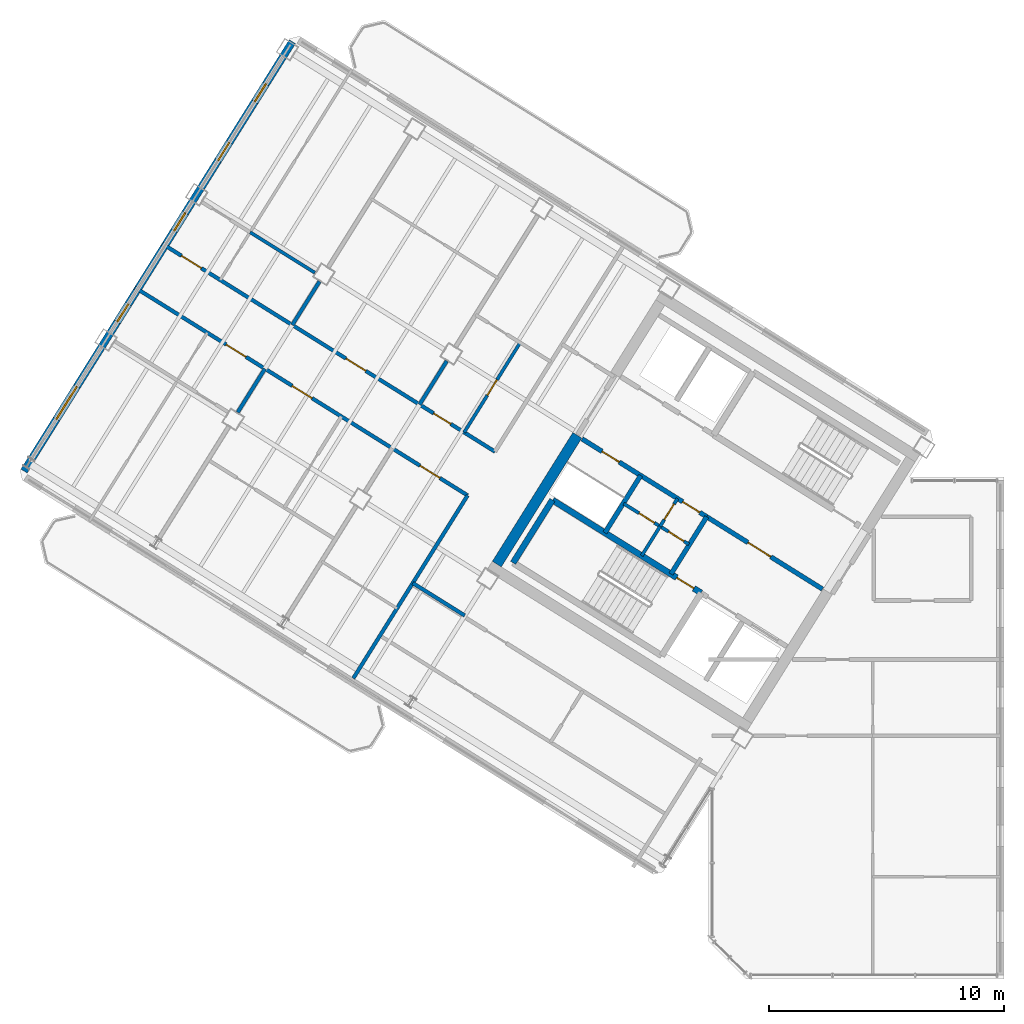
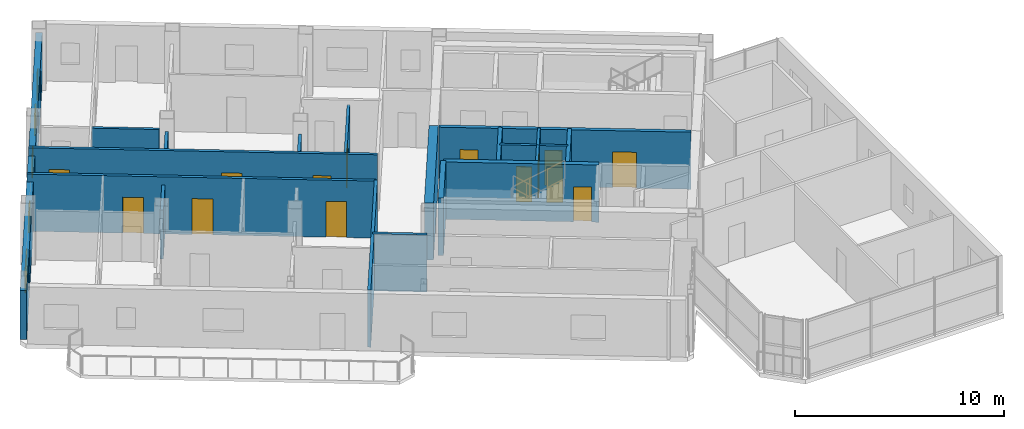
# One storey, part 9 of 17: 20 walls, 14 doors, 5 windows, 19 openings.
"""IFC4 building model written with IfcOpenShell, lengths in metres."""

from ifc_helpers import new_model, si_unit, direction, frame, frame_2d, origin, place, context, subcontext, project, spatial, rectangle, extrude, source, transform, mapped, material, layer, layer_set, type_object, element, fill, save


model = new_model("IFC4")

# Units and contexts
model_context = context("Model", 3, precision=1e-05, world=origin(), true_north=direction((0.0, 1.0)))
body_context = subcontext(model_context, "Body", "Model", "MODEL_VIEW")
ifc_project = project(units=[si_unit("LENGTHUNIT", "METRE"), si_unit("AREAUNIT", "SQUARE_METRE"), si_unit("VOLUMEUNIT", "CUBIC_METRE"), si_unit("PLANEANGLEUNIT", "RADIAN"), si_unit("MASSUNIT", "GRAM", prefix="KILO")], contexts=[model_context])

# Site, building, storey
site_placement = place(None, origin())
site = spatial("IfcSite", under=ifc_project, at=site_placement, CompositionType="ELEMENT")
building_placement = place(site_placement, origin())
building = spatial("IfcBuilding", under=site, at=building_placement, Name="Tlacorven Tower", CompositionType="ELEMENT")
storey_placement = place(building_placement, frame((0.0, 0.0, 270.0)))
storey = spatial("IfcBuildingStorey", under=building, at=storey_placement, Name="L68", CompositionType="ELEMENT", Elevation=270.0)

# Walls
ifc_material_1 = material(Name="Concrete C50/60", Category="concrete")
ifc_layer_1 = layer(ifc_material_1, 0.449951171875)
ifc_layer_set_1 = layer_set([ifc_layer_1], Name="Concrete C50/60")
wall_type_1 = type_object("IfcWallType", Name="WL-COR-450", PredefinedType="SHEAR", material=ifc_layer_set_1)
wall_1_placement = place(storey_placement, frame((26.006591796875, 24.975830078125, 0.0), z_axis=(0.0, 0.0, 1.0), x_axis=(-0.529931155655, -0.848040665456, 0.0)))
element("IfcWall", 1, at=wall_1_placement, inside=storey, type_object=wall_type_1, Name="L68 W core end wall E2.2", PredefinedType="SHEAR", context=body_context, shape_type="SweptSolid", body=[
    extrude(rectangle(XDim=6.47509765625, YDim=0.449951171875, at=frame_2d((3.237548828125, 0.0))), origin(), (0.0, 0.0, 1.0), 3.35009765625),
])
ifc_material_2 = material(Name="Gypsum plasterboard acoustic partition", Category="gypsum")
ifc_layer_2 = layer(ifc_material_2, 0.159912109375)
ifc_layer_set_2 = layer_set([ifc_layer_2], Name="Gypsum plasterboard acoustic partition")
wall_type_2 = type_object("IfcWallType", Name="WL-DEM-160", PredefinedType="PARTITIONING", material=ifc_layer_set_2)
wall_2_placement = place(storey_placement, frame((21.20556640625, 17.29248046875, 0.0), z_axis=(0.0, 0.0, 1.0), x_axis=(-0.848050851465, 0.529914854792, 0.0)))
element("IfcWall", 2, at=wall_2_placement, inside=storey, type_object=wall_type_2, Name="L68 partition 23", PredefinedType="PARTITIONING", context=body_context, shape_type="SweptSolid", body=[
    extrude(rectangle(XDim=2.60986328125, YDim=0.159912109375, at=frame_2d((1.304931640625, 0.0))), origin(), (0.0, 0.0, 1.0), 3.340087890625),
])
wall_3_placement = place(storey_placement, frame((21.3291015625, 22.41552734375, 0.0), z_axis=(0.0, 0.0, 1.0), x_axis=(-0.529920220799, -0.848047498427, 0.0)))
element("IfcWall", 3, at=wall_3_placement, inside=storey, type_object=wall_type_2, Name="L68 partition 25", PredefinedType="PARTITIONING", context=body_context, shape_type="SweptSolid", body=[
    extrude(rectangle(XDim=9.199951171875, YDim=0.159912109375, at=frame_2d((4.60009765625, 0.0))), origin(), (0.0, 0.0, 1.0), 3.340087890625),
])

# Wall, openings, doors
wall_4_placement = place(storey_placement, frame((22.494873046875, 24.28125, 0.0), z_axis=(0.0, 0.0, 1.0), x_axis=(-0.848052408131, 0.529912363569, 0.0)))
wall_4 = element("IfcWall", 4, at=wall_4_placement, inside=storey, type_object=wall_type_2, Name="L68 Wing W Corridor South Wall", PredefinedType="PARTITIONING", context=body_context, shape_type="SweptSolid", body=[
    extrude(rectangle(XDim=16.72998046875, YDim=0.159912109375, at=frame_2d((8.364990234375, 0.0))), origin(), (0.0, 0.0, 1.0), 3.340087890625),
])
opening_1_placement = place(wall_4_placement, frame((2.219970703125, 0.0, 0.0)))
opening_1 = element("IfcOpeningElement", 5, at=opening_1_placement, cuts=wall_4, Name="Opening D19", PredefinedType="OPENING", context=body_context, shape_type="SweptSolid", body=[
    extrude(rectangle(XDim=0.860107421875, YDim=2.050048828125, at=frame_2d((0.43017578125, 1.02490234375))), frame((0.0, 0.08984375, 0.0), z_axis=(0.0, -1.0, 0.0), x_axis=(1.0, 0.0, 0.0)), (0.0, 0.0, 1.0), 0.179931640625),
])
opening_2_placement = place(wall_4_placement, frame((6.489990234375, 0.0, 0.0)))
opening_2 = element("IfcOpeningElement", 6, at=opening_2_placement, cuts=wall_4, Name="Opening D11", PredefinedType="OPENING", context=body_context, shape_type="SweptSolid", body=[
    extrude(rectangle(XDim=1.0, YDim=2.10009765625, at=frame_2d((0.5, 1.050048828125))), frame((0.0, 0.08984375, 0.0), z_axis=(0.0, -1.0, 0.0), x_axis=(1.0, 0.0, 0.0)), (0.0, 0.0, 1.0), 0.179931640625),
])
opening_3_placement = place(wall_4_placement, frame((14.760009765625, 0.0, 0.0)))
opening_3 = element("IfcOpeningElement", 7, at=opening_3_placement, cuts=wall_4, Name="Opening D11", PredefinedType="OPENING", context=body_context, shape_type="SweptSolid", body=[
    extrude(rectangle(XDim=1.0, YDim=2.10009765625, at=frame_2d((0.5, 1.050048828125))), frame((0.0, 0.08984375, 0.0), z_axis=(0.0, -1.0, 0.0), x_axis=(1.0, 0.0, 0.0)), (0.0, 0.0, 1.0), 0.179931640625),
])
ifc_material_3 = material(Name="Fire-rated steel door assembly", Category="steel")
door_type_1 = type_object("IfcDoorType", Name="DR-RSR-FD60-0860", OperationType="NOTDEFINED", PredefinedType="DOOR", material=ifc_material_3)
shared_shape_1 = source(origin(), body_context, "Body", "SweptSolid", [
    extrude(rectangle(XDim=0.860107421875, YDim=2.050048828125, at=frame_2d((0.43017578125, 1.02490234375))), frame((0.0, 0.02490234375, 0.0), z_axis=(0.0, -1.0, 0.0), x_axis=(1.0, 0.0, 0.0)), (0.0, 0.0, 1.0), 0.050048828125),
])
door_1_placement = place(opening_1_placement, origin())
door_1 = element("IfcDoor", 8, at=door_1_placement, inside=storey, type_object=door_type_1, Name="L68 door 025", OperationType="SINGLE_SWING_LEFT", OverallHeight=2.050048828125, OverallWidth=0.860107421875, PredefinedType="DOOR", context=body_context, shape_type="MappedRepresentation", body=[
    mapped(shared_shape_1, transform((0.0, 0.0, 0.0), scale=1.0)),
])
fill(opening_1, door_1)
door_type_2 = type_object("IfcDoorType", Name="DR-FLT-FD60-1000", OperationType="NOTDEFINED", PredefinedType="DOOR", material=ifc_material_3)
shared_shape_2 = source(origin(), body_context, "Body", "SweptSolid", [
    extrude(rectangle(XDim=1.0, YDim=2.10009765625, at=frame_2d((0.5, 1.050048828125))), frame((0.0, 0.02490234375, 0.0), z_axis=(0.0, -1.0, 0.0), x_axis=(1.0, 0.0, 0.0)), (0.0, 0.0, 1.0), 0.050048828125),
])
door_2_placement = place(opening_2_placement, origin())
door_2 = element("IfcDoor", 9, at=door_2_placement, inside=storey, type_object=door_type_2, Name="L68 door 028", OperationType="SINGLE_SWING_RIGHT", OverallHeight=2.10009765625, OverallWidth=1.0, PredefinedType="DOOR", context=body_context, shape_type="MappedRepresentation", body=[
    mapped(shared_shape_2, transform((0.0, 0.0, 0.0), scale=1.0)),
])
fill(opening_2, door_2)
door_3_placement = place(opening_3_placement, origin())
door_3 = element("IfcDoor", 10, at=door_3_placement, inside=storey, type_object=door_type_2, Name="L68 door 031", OperationType="SINGLE_SWING_LEFT", OverallHeight=2.10009765625, OverallWidth=1.0, PredefinedType="DOOR", context=body_context, shape_type="MappedRepresentation", body=[
    mapped(shared_shape_2, transform((0.0, 0.0, 0.0), scale=1.0)),
])
fill(opening_3, door_3)

wall_5_placement = place(storey_placement, frame((21.3291015625, 22.41552734375, 0.0), z_axis=(0.0, 0.0, 1.0), x_axis=(-0.848052408131, 0.529912363569, 0.0)))
wall_5 = element("IfcWall", 11, at=wall_5_placement, inside=storey, type_object=wall_type_2, Name="L68 Wing W Corridor North Wall", PredefinedType="PARTITIONING", context=body_context, shape_type="SweptSolid", body=[
    extrude(rectangle(XDim=16.72998046875, YDim=0.159912109375, at=frame_2d((8.364990234375, 0.0))), origin(), (0.0, 0.0, 1.0), 3.340087890625),
])
opening_4_placement = place(wall_5_placement, frame((1.39501953125, 0.0, 0.0)))
opening_4 = element("IfcOpeningElement", 12, at=opening_4_placement, cuts=wall_5, Name="Opening D11", PredefinedType="OPENING", context=body_context, shape_type="SweptSolid", body=[
    extrude(rectangle(XDim=1.0, YDim=2.10009765625, at=frame_2d((0.5, 1.050048828125))), frame((0.0, 0.08984375, 0.0), z_axis=(0.0, -1.0, 0.0), x_axis=(1.0, 0.0, 0.0)), (0.0, 0.0, 1.0), 0.179931640625),
])
opening_5_placement = place(wall_5_placement, frame((7.820068359375, 0.0, 0.0)))
opening_5 = element("IfcOpeningElement", 13, at=opening_5_placement, cuts=wall_5, Name="Opening D11", PredefinedType="OPENING", context=body_context, shape_type="SweptSolid", body=[
    extrude(rectangle(XDim=1.0, YDim=2.10009765625, at=frame_2d((0.5, 1.050048828125))), frame((0.0, 0.08984375, 0.0), z_axis=(0.0, -1.0, 0.0), x_axis=(1.0, 0.0, 0.0)), (0.0, 0.0, 1.0), 0.179931640625),
])
opening_6_placement = place(wall_5_placement, frame((11.139892578125, 0.0, 0.0)))
opening_6 = element("IfcOpeningElement", 14, at=opening_6_placement, cuts=wall_5, Name="Opening D11", PredefinedType="OPENING", context=body_context, shape_type="SweptSolid", body=[
    extrude(rectangle(XDim=1.0, YDim=2.10009765625, at=frame_2d((0.5, 1.050048828125))), frame((0.0, 0.08984375, 0.0), z_axis=(0.0, -1.0, 0.0), x_axis=(1.0, 0.0, 0.0)), (0.0, 0.0, 1.0), 0.179931640625),
])
door_4_placement = place(opening_4_placement, origin())
door_4 = element("IfcDoor", 15, at=door_4_placement, inside=storey, type_object=door_type_2, Name="L68 door 015", OperationType="SINGLE_SWING_LEFT", OverallHeight=2.10009765625, OverallWidth=1.0, PredefinedType="DOOR", context=body_context, shape_type="MappedRepresentation", body=[
    mapped(shared_shape_2, transform((0.0, 0.0, 0.0), scale=1.0)),
])
fill(opening_4, door_4)
door_5_placement = place(opening_5_placement, origin())
door_5 = element("IfcDoor", 16, at=door_5_placement, inside=storey, type_object=door_type_2, Name="L68 door 017", OperationType="SINGLE_SWING_LEFT", OverallHeight=2.10009765625, OverallWidth=1.0, PredefinedType="DOOR", context=body_context, shape_type="MappedRepresentation", body=[
    mapped(shared_shape_2, transform((0.0, 0.0, 0.0), scale=1.0)),
])
fill(opening_5, door_5)
door_6_placement = place(opening_6_placement, origin())
door_6 = element("IfcDoor", 17, at=door_6_placement, inside=storey, type_object=door_type_2, Name="L68 door 021", OperationType="SINGLE_SWING_LEFT", OverallHeight=2.10009765625, OverallWidth=1.0, PredefinedType="DOOR", context=body_context, shape_type="MappedRepresentation", body=[
    mapped(shared_shape_2, transform((0.0, 0.0, 0.0), scale=1.0)),
])
fill(opening_6, door_6)

# Walls
wall_6_placement = place(storey_placement, frame((12.6875, 27.8154296875, 0.0), z_axis=(0.0, 0.0, 1.0), x_axis=(-0.52994879608, -0.848029641896, 0.0)))
element("IfcWall", 18, at=wall_6_placement, inside=storey, type_object=wall_type_2, Name="L68 WN Demising Wall 2", PredefinedType="PARTITIONING", context=body_context, shape_type="SweptSolid", body=[
    extrude(rectangle(XDim=2.188232421875, YDim=0.159912109375, at=frame_2d((1.09423828125, 0.0))), origin(), (0.0, 0.0, 1.0), 2.875),
])
for number, where, z_axis, x_axis, name in (
    (19, (20.440185546875, 28.14501953125, 0.0), (0.0, 0.0, 1.0), (-0.5299186965, -0.848048450915, 0.0), "L68 WS Demising Wall 1"),
    (20, (15.0126953125, 31.53662109375, 0.0), (0.0, 0.0, 1.0), (-0.5299186965, -0.848048450915, 0.0), "L68 WS Demising Wall 2"),
):
    element("IfcWall", number, at=place(storey_placement, frame(where, z_axis=z_axis, x_axis=x_axis)), inside=storey, type_object=wall_type_2, Name=name, PredefinedType="PARTITIONING", context=body_context, shape_type="SweptSolid", body=[
        extrude(rectangle(XDim=2.18798828125, YDim=0.159912109375, at=frame_2d((1.093994140625, 0.0))), origin(), (0.0, 0.0, 1.0), 2.875),
    ])

# Wall, openings, windows
ifc_material_4 = material(Name="Precast concrete C45/55", Category="concrete")
ifc_layer_3 = layer(ifc_material_4, 0.320068359375)
ifc_layer_set_3 = layer_set([ifc_layer_3], Name="Precast concrete C45/55")
wall_type_3 = type_object("IfcWallType", Name="WL-EXT-320", PredefinedType="STANDARD", material=ifc_layer_set_3)
wall_7_placement = place(storey_placement, frame((2.41455078125, 23.452392578125, 0.0), z_axis=(0.0, 0.0, 1.0), x_axis=(0.52991049553, 0.848053575387, 0.0)))
wall_7 = element("IfcWall", 21, at=wall_7_placement, inside=storey, type_object=wall_type_3, Name="L68 Masonry-Frame Recessed Facade Wall 3", PredefinedType="STANDARD", context=body_context, shape_type="SweptSolid", body=[
    extrude(rectangle(XDim=21.58740234375, YDim=0.320068359375, at=frame_2d((10.793701171875, 0.0))), origin(), (0.0, 0.0, 1.0), 2.875),
])
opening_7_placement = place(wall_7_placement, frame((2.606201171875, 0.0, 0.89990234375)))
opening_7 = element("IfcOpeningElement", 22, at=opening_7_placement, cuts=wall_7, Name="Opening WN07", PredefinedType="OPENING", context=body_context, shape_type="SweptSolid", body=[
    extrude(rectangle(XDim=1.64990234375, YDim=1.449951171875, at=frame_2d((0.824951171875, 0.72509765625))), frame((0.0, 0.169921875, 0.0), z_axis=(0.0, -1.0, 0.0), x_axis=(1.0, 0.0, 0.0)), (0.0, 0.0, 1.0), 0.340087890625),
])
opening_8_placement = place(wall_7_placement, frame((7.503662109375, 0.0, 1.0)))
opening_8 = element("IfcOpeningElement", 23, at=opening_8_placement, cuts=wall_7, Name="Opening WN05", PredefinedType="OPENING", context=body_context, shape_type="SweptSolid", body=[
    extrude(rectangle(XDim=0.89990234375, YDim=1.25, at=frame_2d((0.449951171875, 0.625))), frame((0.0, 0.169921875, 0.0), z_axis=(0.0, -1.0, 0.0), x_axis=(1.0, 0.0, 0.0)), (0.0, 0.0, 1.0), 0.340087890625),
])
opening_9_placement = place(wall_7_placement, frame((12.083740234375, 0.0, 1.0)))
opening_9 = element("IfcOpeningElement", 24, at=opening_9_placement, cuts=wall_7, Name="Opening WN05", PredefinedType="OPENING", context=body_context, shape_type="SweptSolid", body=[
    extrude(rectangle(XDim=0.89990234375, YDim=1.25, at=frame_2d((0.449951171875, 0.625))), frame((0.0, 0.169921875, 0.0), z_axis=(0.0, -1.0, 0.0), x_axis=(1.0, 0.0, 0.0)), (0.0, 0.0, 1.0), 0.340087890625),
])
opening_10_placement = place(wall_7_placement, frame((15.61865234375, 0.0, 1.0)))
opening_10 = element("IfcOpeningElement", 25, at=opening_10_placement, cuts=wall_7, Name="Opening WN05", PredefinedType="OPENING", context=body_context, shape_type="SweptSolid", body=[
    extrude(rectangle(XDim=0.89990234375, YDim=1.25, at=frame_2d((0.449951171875, 0.625))), frame((0.0, 0.169921875, 0.0), z_axis=(0.0, -1.0, 0.0), x_axis=(1.0, 0.0, 0.0)), (0.0, 0.0, 1.0), 0.340087890625),
])
opening_11_placement = place(wall_7_placement, frame((18.568603515625, 0.0, 1.0)))
opening_11 = element("IfcOpeningElement", 26, at=opening_11_placement, cuts=wall_7, Name="Opening WN05", PredefinedType="OPENING", context=body_context, shape_type="SweptSolid", body=[
    extrude(rectangle(XDim=0.89990234375, YDim=1.25, at=frame_2d((0.449951171875, 0.625))), frame((0.0, 0.169921875, 0.0), z_axis=(0.0, -1.0, 0.0), x_axis=(1.0, 0.0, 0.0)), (0.0, 0.0, 1.0), 0.340087890625),
])
ifc_material_5 = material(Name="Dark solar low-E double glazing in anodised aluminium frame", Category="aluminium")
window_type_1 = type_object("IfcWindowType", Name="WN-APT-0900X1350", PartitioningType="SINGLE_PANEL", PredefinedType="WINDOW", material=ifc_material_5)
shared_shape_3 = source(origin(), body_context, "Body", "SweptSolid", [
    extrude(rectangle(XDim=0.89990234375, YDim=1.25, at=frame_2d((0.449951171875, 0.625))), frame((0.0, 0.030029296875, 0.0), z_axis=(0.0, -1.0, 0.0), x_axis=(1.0, 0.0, 0.0)), (0.0, 0.0, 1.0), 0.06005859375),
])
window_1_placement = place(opening_8_placement, origin())
window_1 = element("IfcWindow", 27, at=window_1_placement, inside=storey, type_object=window_type_1, Name="L68 Recessed Masonry-Frame Window L68-03.2", OverallHeight=1.25, OverallWidth=0.89990234375, PartitioningType="SINGLE_PANEL", PredefinedType="WINDOW", context=body_context, shape_type="MappedRepresentation", body=[
    mapped(shared_shape_3, transform((0.0, 0.0, 0.0), scale=1.0)),
])
fill(opening_8, window_1)
window_2_placement = place(opening_9_placement, origin())
window_2 = element("IfcWindow", 28, at=window_2_placement, inside=storey, type_object=window_type_1, Name="L68 Recessed Masonry-Frame Window L68-03.3", OverallHeight=1.25, OverallWidth=0.89990234375, PartitioningType="SINGLE_PANEL", PredefinedType="WINDOW", context=body_context, shape_type="MappedRepresentation", body=[
    mapped(shared_shape_3, transform((0.0, 0.0, 0.0), scale=1.0)),
])
fill(opening_9, window_2)
window_3_placement = place(opening_10_placement, origin())
window_3 = element("IfcWindow", 29, at=window_3_placement, inside=storey, type_object=window_type_1, Name="L68 Recessed Masonry-Frame Window L68-03.4", OverallHeight=1.25, OverallWidth=0.89990234375, PartitioningType="SINGLE_PANEL", PredefinedType="WINDOW", context=body_context, shape_type="MappedRepresentation", body=[
    mapped(shared_shape_3, transform((0.0, 0.0, 0.0), scale=1.0)),
])
fill(opening_10, window_3)
window_4_placement = place(opening_11_placement, origin())
window_4 = element("IfcWindow", 30, at=window_4_placement, inside=storey, type_object=window_type_1, Name="L68 Recessed Masonry-Frame Window L68-03.5", OverallHeight=1.25, OverallWidth=0.89990234375, PartitioningType="SINGLE_PANEL", PredefinedType="WINDOW", context=body_context, shape_type="MappedRepresentation", body=[
    mapped(shared_shape_3, transform((0.0, 0.0, 0.0), scale=1.0)),
])
fill(opening_11, window_4)
window_type_2 = type_object("IfcWindowType", Name="WN-APT-1650X1600", PartitioningType="SINGLE_PANEL", PredefinedType="WINDOW", material=ifc_material_5)
shared_shape_4 = source(origin(), body_context, "Body", "SweptSolid", [
    extrude(rectangle(XDim=1.64990234375, YDim=1.449951171875, at=frame_2d((0.824951171875, 0.72509765625))), frame((0.0, 0.030029296875, 0.0), z_axis=(0.0, -1.0, 0.0), x_axis=(1.0, 0.0, 0.0)), (0.0, 0.0, 1.0), 0.06005859375),
])
window_5_placement = place(opening_7_placement, origin())
window_5 = element("IfcWindow", 31, at=window_5_placement, inside=storey, type_object=window_type_2, Name="L68 Recessed Masonry-Frame Window L68-03.1", OverallHeight=1.449951171875, OverallWidth=1.64990234375, PartitioningType="SINGLE_PANEL", PredefinedType="WINDOW", context=body_context, shape_type="MappedRepresentation", body=[
    mapped(shared_shape_4, transform((0.0, 0.0, 0.0), scale=1.0)),
])
fill(opening_7, window_5)

# Wall, opening, door
ifc_material_6 = material(Name="Moisture-resistant gypsum plumbing wall", Category="gypsum")
ifc_layer_4 = layer(ifc_material_6, 0.139892578125)
ifc_layer_set_4 = layer_set([ifc_layer_4], Name="Moisture-resistant gypsum plumbing wall")
wall_type_4 = type_object("IfcWallType", Name="WL-PLM-140", PredefinedType="PLUMBINGWALL", material=ifc_layer_set_4)
wall_8_placement = place(storey_placement, frame((30.278564453125, 22.28271484375, 0.0), z_axis=(0.0, 0.0, 1.0), x_axis=(-0.529951914384, -0.848027693204, 0.0)))
wall_8 = element("IfcWall", 32, at=wall_8_placement, inside=storey, type_object=wall_type_4, Name="L68 partition 18", PredefinedType="PLUMBINGWALL", context=body_context, shape_type="SweptSolid", body=[
    extrude(rectangle(XDim=1.39990234375, YDim=0.139892578125, at=frame_2d((0.699951171875, 0.0))), origin(), (0.0, 0.0, 1.0), 3.340087890625),
])
opening_12_placement = place(wall_8_placement, frame((0.280029296875, 0.0, 0.0)))
opening_12 = element("IfcOpeningElement", 33, at=opening_12_placement, cuts=wall_8, Name="Opening D22", PredefinedType="OPENING", context=body_context, shape_type="SweptSolid", body=[
    extrude(rectangle(XDim=0.780029296875, YDim=2.050048828125, at=frame_2d((0.39013671875, 1.02490234375))), frame((0.0, 0.080078125, 0.0), z_axis=(0.0, -1.0, 0.0), x_axis=(1.0, 0.0, 0.0)), (0.0, 0.0, 1.0), 0.159912109375),
])
ifc_material_7 = material(Name="Powder-coated aluminium and timber door", Category="wood")
door_type_3 = type_object("IfcDoorType", Name="DR-INT-WET-0780", OperationType="NOTDEFINED", PredefinedType="DOOR", material=ifc_material_7)
shared_shape_5 = source(origin(), body_context, "Body", "SweptSolid", [
    extrude(rectangle(XDim=0.780029296875, YDim=2.050048828125, at=frame_2d((0.39013671875, 1.02490234375))), frame((0.0, 0.02490234375, 0.0), z_axis=(0.0, -1.0, 0.0), x_axis=(1.0, 0.0, 0.0)), (0.0, 0.0, 1.0), 0.050048828125),
])
door_7_placement = place(opening_12_placement, origin())
door_7 = element("IfcDoor", 34, at=door_7_placement, inside=storey, type_object=door_type_3, Name="L68 door 010", OperationType="SINGLE_SWING_LEFT", OverallHeight=2.050048828125, OverallWidth=0.780029296875, PredefinedType="DOOR", context=body_context, shape_type="MappedRepresentation", body=[
    mapped(shared_shape_5, transform((0.0, 0.0, 0.0), scale=1.0)),
])
fill(opening_12, door_7)

# Wall
wall_9_placement = place(storey_placement, frame((29.53662109375, 21.095458984375, 0.0), z_axis=(0.0, 0.0, 1.0), x_axis=(-0.529865479138, -0.848081702443, 0.0)))
element("IfcWall", 35, at=wall_9_placement, inside=storey, type_object=wall_type_4, Name="L68 partition 19", PredefinedType="PLUMBINGWALL", context=body_context, shape_type="SweptSolid", body=[
    extrude(rectangle(XDim=1.47998046875, YDim=0.139892578125, at=frame_2d((0.739990234375, 0.0))), origin(), (0.0, 0.0, 1.0), 3.340087890625),
])

# Wall, openings, doors
wall_10_placement = place(storey_placement, frame((30.766357421875, 20.3271484375, 0.0), z_axis=(0.0, 0.0, 1.0), x_axis=(-0.848052663127, 0.529911955482, 0.0)))
wall_10 = element("IfcWall", 36, at=wall_10_placement, inside=storey, type_object=wall_type_4, Name="L68 partition 20", PredefinedType="PLUMBINGWALL", context=body_context, shape_type="SweptSolid", body=[
    extrude(rectangle(XDim=3.27978515625, YDim=0.139892578125, at=frame_2d((1.639892578125, 0.0))), origin(), (0.0, 0.0, 1.0), 3.340087890625),
])
opening_13_placement = place(wall_10_placement, frame((0.25, 0.0, 0.0)))
opening_13 = element("IfcOpeningElement", 37, at=opening_13_placement, cuts=wall_10, Name="Opening D22", PredefinedType="OPENING", context=body_context, shape_type="SweptSolid", body=[
    extrude(rectangle(XDim=0.780029296875, YDim=2.050048828125, at=frame_2d((0.39013671875, 1.02490234375))), frame((0.0, 0.080078125, 0.0), z_axis=(0.0, -1.0, 0.0), x_axis=(1.0, 0.0, 0.0)), (0.0, 0.0, 1.0), 0.159912109375),
])
opening_14_placement = place(wall_10_placement, frame((1.72998046875, 0.0, 0.0)))
opening_14 = element("IfcOpeningElement", 38, at=opening_14_placement, cuts=wall_10, Name="Opening D22", PredefinedType="OPENING", context=body_context, shape_type="SweptSolid", body=[
    extrude(rectangle(XDim=0.780029296875, YDim=2.050048828125, at=frame_2d((0.39013671875, 1.02490234375))), frame((0.0, 0.080078125, 0.0), z_axis=(0.0, -1.0, 0.0), x_axis=(1.0, 0.0, 0.0)), (0.0, 0.0, 1.0), 0.159912109375),
])
door_8_placement = place(opening_13_placement, origin())
door_8 = element("IfcDoor", 39, at=door_8_placement, inside=storey, type_object=door_type_3, Name="L68 door 011", OperationType="SINGLE_SWING_RIGHT", OverallHeight=2.050048828125, OverallWidth=0.780029296875, PredefinedType="DOOR", context=body_context, shape_type="MappedRepresentation", body=[
    mapped(shared_shape_5, transform((0.0, 0.0, 0.0), scale=1.0)),
])
fill(opening_13, door_8)
door_9_placement = place(opening_14_placement, origin())
door_9 = element("IfcDoor", 40, at=door_9_placement, inside=storey, type_object=door_type_3, Name="L68 door 012", OperationType="SINGLE_SWING_LEFT", OverallHeight=2.050048828125, OverallWidth=0.780029296875, PredefinedType="DOOR", context=body_context, shape_type="MappedRepresentation", body=[
    mapped(shared_shape_5, transform((0.0, 0.0, 0.0), scale=1.0)),
])
fill(opening_14, door_9)

# Wall, opening, door
wall_11_placement = place(storey_placement, frame((23.5703125, 28.92724609375, 0.0), z_axis=(0.0, 0.0, 1.0), x_axis=(-0.529911350634, -0.84805304107, 0.0)))
wall_11 = element("IfcWall", 41, at=wall_11_placement, inside=storey, type_object=wall_type_4, Name="L68 partition 40", PredefinedType="PLUMBINGWALL", context=body_context, shape_type="SweptSolid", body=[
    extrude(rectangle(XDim=4.510009765625, YDim=0.139892578125, at=frame_2d((2.2548828125, 0.0))), origin(), (0.0, 0.0, 1.0), 3.02490234375),
])
opening_15_placement = place(wall_11_placement, frame((1.864990234375, 0.0, 0.0)))
opening_15 = element("IfcOpeningElement", 42, at=opening_15_placement, cuts=wall_11, Name="Opening D22", PredefinedType="OPENING", context=body_context, shape_type="SweptSolid", body=[
    extrude(rectangle(XDim=0.780029296875, YDim=2.050048828125, at=frame_2d((0.39013671875, 1.02490234375))), frame((0.0, 0.080078125, 0.0), z_axis=(0.0, -1.0, 0.0), x_axis=(1.0, 0.0, 0.0)), (0.0, 0.0, 1.0), 0.159912109375),
])
door_10_placement = place(opening_15_placement, origin())
door_10 = element("IfcDoor", 43, at=door_10_placement, inside=storey, type_object=door_type_3, Name="L68 door 027", OperationType="SINGLE_SWING_LEFT", OverallHeight=2.050048828125, OverallWidth=0.780029296875, PredefinedType="DOOR", context=body_context, shape_type="MappedRepresentation", body=[
    mapped(shared_shape_5, transform((0.0, 0.0, 0.0), scale=1.0)),
])
fill(opening_15, door_10)

# Wall
wall_12_placement = place(storey_placement, frame((14.818115234375, 31.908203125, 0.0), z_axis=(0.0, 0.0, 1.0), x_axis=(-0.848036190178, 0.529938317305, 0.0)))
element("IfcWall", 44, at=wall_12_placement, inside=storey, type_object=wall_type_4, Name="L68 partition 46", PredefinedType="PLUMBINGWALL", context=body_context, shape_type="SweptSolid", body=[
    extrude(rectangle(XDim=3.258056640625, YDim=0.139892578125, at=frame_2d((1.62890625, 0.0))), origin(), (0.0, 0.0, 1.0), 2.875),
])

# Wall, opening, door
ifc_material_8 = material(Name="Concrete C40/50", Category="concrete")
ifc_layer_5 = layer(ifc_material_8, 0.199951171875)
ifc_layer_set_5 = layer_set([ifc_layer_5], Name="Concrete C40/50")
wall_type_5 = type_object("IfcWallType", Name="WL-SHF-200", PredefinedType="STANDARD", material=ifc_layer_set_5)
wall_13_placement = place(storey_placement, frame((36.459228515625, 18.420654296875, 0.0), z_axis=(0.0, 0.0, 1.0), x_axis=(-0.848059591691, 0.529900867089, 0.0)))
wall_13 = element("IfcWall", 45, at=wall_13_placement, inside=storey, type_object=wall_type_5, Name="L68 Core W Smoke Lobby Wall", PredefinedType="STANDARD", context=body_context, shape_type="SweptSolid", body=[
    extrude(rectangle(XDim=5.818115234375, YDim=0.199951171875, at=frame_2d((2.9091796875, 0.0))), origin(), (0.0, 0.0, 1.0), 3.340087890625),
])
opening_16_placement = place(wall_13_placement, frame((2.597900390625, 0.0, 0.0)))
opening_16 = element("IfcOpeningElement", 46, at=opening_16_placement, cuts=wall_13, Name="Opening D09", PredefinedType="OPENING", context=body_context, shape_type="SweptSolid", body=[
    extrude(rectangle(XDim=1.14990234375, YDim=2.10009765625, at=frame_2d((0.574951171875, 1.050048828125))), frame((0.0, 0.10986328125, 0.0), z_axis=(0.0, -1.0, 0.0), x_axis=(1.0, 0.0, 0.0)), (0.0, 0.0, 1.0), 0.219970703125),
])
door_type_4 = type_object("IfcDoorType", Name="DR-FFL-FD60-1150", OperationType="NOTDEFINED", PredefinedType="DOOR", material=ifc_material_3)
shared_shape_6 = source(origin(), body_context, "Body", "SweptSolid", [
    extrude(rectangle(XDim=1.14990234375, YDim=2.10009765625, at=frame_2d((0.574951171875, 1.050048828125))), frame((0.0, 0.02490234375, 0.0), z_axis=(0.0, -1.0, 0.0), x_axis=(1.0, 0.0, 0.0)), (0.0, 0.0, 1.0), 0.050048828125),
])
door_11_placement = place(opening_16_placement, origin())
door_11 = element("IfcDoor", 47, at=door_11_placement, inside=storey, type_object=door_type_4, Name="L68 Firefighting Lobby W Fire Door", OperationType="SINGLE_SWING_RIGHT", OverallHeight=2.10009765625, OverallWidth=1.14990234375, PredefinedType="DOOR", context=body_context, shape_type="MappedRepresentation", body=[
    mapped(shared_shape_6, transform((0.0, 0.0, 0.0), scale=1.0)),
])
fill(opening_16, door_11)

# Walls
for number, where, z_axis, x_axis, name in (
    (48, (31.525146484375, 21.503662109375, 0.0), (0.0, 0.0, 1.0), (-0.529907497854, -0.848055448493, 0.0), "L68 partition 15"),
    (49, (28.709716796875, 23.26318359375, 0.0), (0.0, 0.0, 1.0), (-0.529907497854, -0.848055448493, 0.0), "L68 partition 16"),
):
    element("IfcWall", number, at=place(storey_placement, frame(where, z_axis=z_axis, x_axis=x_axis)), inside=storey, type_object=wall_type_5, Name=name, PredefinedType="STANDARD", context=body_context, shape_type="SweptSolid", body=[
        extrude(rectangle(XDim=2.8798828125, YDim=0.199951171875, at=frame_2d((1.43994140625, 0.0))), origin(), (0.0, 0.0, 1.0), 3.340087890625),
    ])

# Wall, openings, doors
wall_14_placement = place(storey_placement, frame((31.525146484375, 21.503662109375, 0.0), z_axis=(0.0, 0.0, 1.0), x_axis=(-0.848042066329, 0.529928913853, 0.0)))
wall_14 = element("IfcWall", 50, at=wall_14_placement, inside=storey, type_object=wall_type_5, Name="L68 Core W North Service Wall", PredefinedType="STANDARD", context=body_context, shape_type="SweptSolid", body=[
    extrude(rectangle(XDim=6.267822265625, YDim=0.199951171875, at=frame_2d((3.1337890625, 0.0))), origin(), (0.0, 0.0, 1.0), 3.340087890625),
])
opening_17_placement = place(wall_14_placement, frame((4.39990234375, 0.0, 0.0)))
opening_17 = element("IfcOpeningElement", 51, at=opening_17_placement, cuts=wall_14, Name="Opening D19", PredefinedType="OPENING", context=body_context, shape_type="SweptSolid", body=[
    extrude(rectangle(XDim=0.860107421875, YDim=2.050048828125, at=frame_2d((0.43017578125, 1.02490234375))), frame((0.0, 0.10986328125, 0.0), z_axis=(0.0, -1.0, 0.0), x_axis=(1.0, 0.0, 0.0)), (0.0, 0.0, 1.0), 0.219970703125),
])
opening_18_placement = place(wall_14_placement, frame((0.35009765625, 0.0, 0.0)))
opening_18 = element("IfcOpeningElement", 52, at=opening_18_placement, cuts=wall_14, Name="Opening D19", PredefinedType="OPENING", context=body_context, shape_type="SweptSolid", body=[
    extrude(rectangle(XDim=0.860107421875, YDim=2.050048828125, at=frame_2d((0.43017578125, 1.02490234375))), frame((0.0, 0.10986328125, 0.0), z_axis=(0.0, -1.0, 0.0), x_axis=(1.0, 0.0, 0.0)), (0.0, 0.0, 1.0), 0.219970703125),
])
door_12_placement = place(opening_17_placement, frame((0.860107421875, 0.0, 0.0), z_axis=(0.0, 0.0, 1.0), x_axis=(-1.0, 0.0, 0.0)))
door_12 = element("IfcDoor", 53, at=door_12_placement, inside=storey, type_object=door_type_1, Name="L68 Electrical Riser Access Door W", OperationType="SINGLE_SWING_LEFT", OverallHeight=2.050048828125, OverallWidth=0.860107421875, PredefinedType="DOOR", context=body_context, shape_type="MappedRepresentation", body=[
    mapped(shared_shape_1, transform((0.0, 0.0, 0.0), scale=1.0)),
])
fill(opening_17, door_12)
door_13_placement = place(opening_18_placement, frame((0.860107421875, 0.0, 0.0), z_axis=(0.0, 0.0, 1.0), x_axis=(-1.0, 0.0, 0.0)))
door_13 = element("IfcDoor", 54, at=door_13_placement, inside=storey, type_object=door_type_1, Name="L68 Cleaning Room Access Door W", OperationType="SINGLE_SWING_RIGHT", OverallHeight=2.050048828125, OverallWidth=0.860107421875, PredefinedType="DOOR", context=body_context, shape_type="MappedRepresentation", body=[
    mapped(shared_shape_1, transform((0.0, 0.0, 0.0), scale=1.0)),
])
fill(opening_18, door_13)

# Wall, opening, door
ifc_layer_6 = layer(ifc_material_1, 0.260009765625)
ifc_layer_set_6 = layer_set([ifc_layer_6], Name="Concrete C50/60")
wall_type_6 = type_object("IfcWallType", Name="WL-STW-260", PredefinedType="SHEAR", material=ifc_layer_set_6)
wall_15_placement = place(storey_placement, frame((31.279541015625, 18.26123046875, 0.0), z_axis=(0.0, 0.0, 1.0), x_axis=(-0.848051618787, 0.529913626805, 0.0)))
wall_15 = element("IfcWall", 55, at=wall_15_placement, inside=storey, type_object=wall_type_6, Name="L68 Stair W1 Lobby Shear Wall", PredefinedType="SHEAR", context=body_context, shape_type="SweptSolid", body=[
    extrude(rectangle(XDim=7.4599609375, YDim=0.260009765625, at=frame_2d((3.72998046875, 0.0))), origin(), (0.0, 0.0, 1.0), 3.35009765625),
])
opening_19_placement = place(wall_15_placement, frame((0.360107421875, 0.0, 0.0)))
opening_19 = element("IfcOpeningElement", 56, at=opening_19_placement, cuts=wall_15, Name="Opening D19", PredefinedType="OPENING", context=body_context, shape_type="SweptSolid", body=[
    extrude(rectangle(XDim=0.860107421875, YDim=2.050048828125, at=frame_2d((0.43017578125, 1.02490234375))), frame((0.0, 0.14013671875, 0.0), z_axis=(0.0, -1.0, 0.0), x_axis=(1.0, 0.0, 0.0)), (0.0, 0.0, 1.0), 0.280029296875),
])
door_14_placement = place(opening_19_placement, frame((0.860107421875, 0.0, 0.0), z_axis=(0.0, 0.0, 1.0), x_axis=(-1.0, 0.0, 0.0)))
door_14 = element("IfcDoor", 57, at=door_14_placement, inside=storey, type_object=door_type_1, Name="L68 Exit Stair W1 Fire Door", OperationType="SINGLE_SWING_LEFT", OverallHeight=2.050048828125, OverallWidth=0.860107421875, PredefinedType="DOOR", context=body_context, shape_type="MappedRepresentation", body=[
    mapped(shared_shape_1, transform((0.0, 0.0, 0.0), scale=1.0)),
])
fill(opening_19, door_14)

# Wall
wall_16_placement = place(storey_placement, frame((24.944580078125, 22.2197265625, 0.0), z_axis=(0.0, 0.0, 1.0), x_axis=(-0.529908658664, -0.84805472316, 0.0)))
element("IfcWall", 58, at=wall_16_placement, inside=storey, type_object=wall_type_6, Name="L68 Stair W1 East Shear Wall", PredefinedType="SHEAR", context=body_context, shape_type="SweptSolid", body=[
    extrude(rectangle(XDim=3.16015625, YDim=0.260009765625, at=frame_2d((1.580078125, 0.0))), origin(), (0.0, 0.0, 1.0), 3.35009765625),
])

save(model, "model.ifc")
